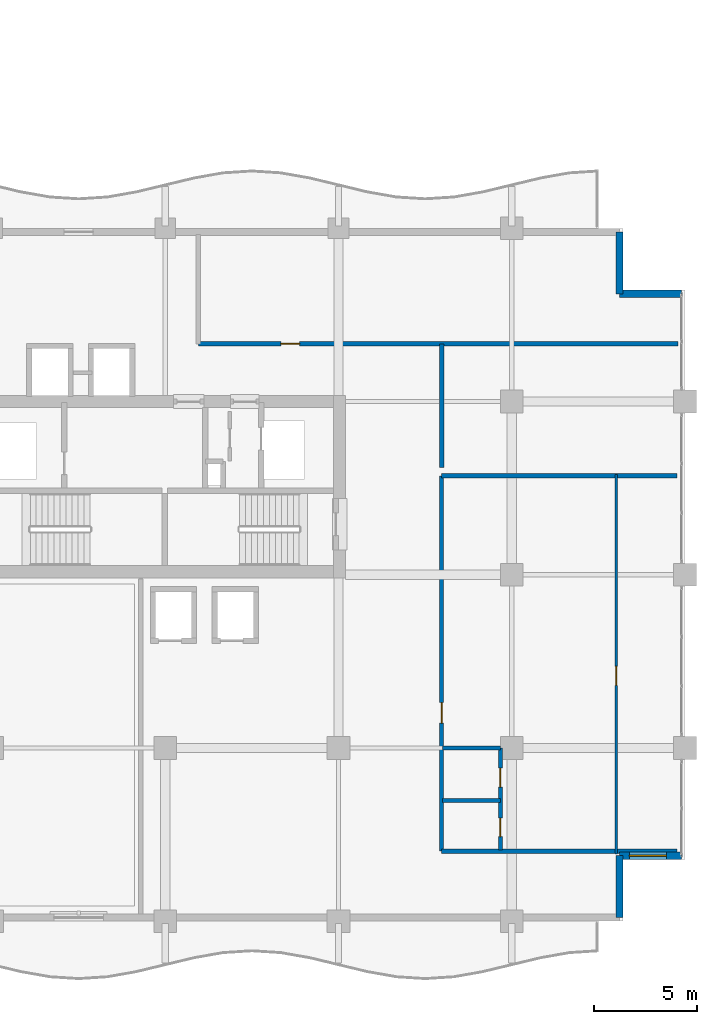
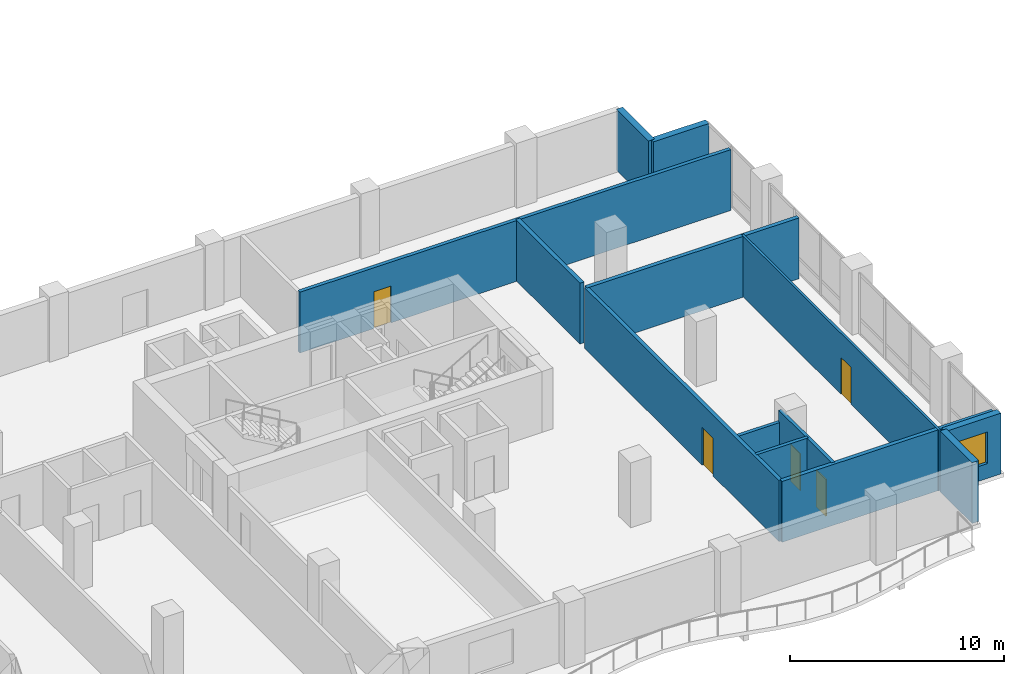
# One storey, part 14 of 21: 13 walls, 5 doors, 1 window, 6 openings.
"""IFC4 building model written with IfcOpenShell, lengths in metres."""

from ifc_helpers import new_model, si_unit, direction, frame, frame_2d, origin, place, context, subcontext, project, spatial, rectangle, extrude, material, layer, layer_set, type_object, element, fill, save


model = new_model("IFC4")

# Units and contexts
model_context = context("Model", 3, precision=1e-05, world=origin(), true_north=direction((0.0, 1.0)))
body_context = subcontext(model_context, "Body", "Model", "MODEL_VIEW")
ifc_project = project(units=[si_unit("LENGTHUNIT", "METRE"), si_unit("AREAUNIT", "SQUARE_METRE"), si_unit("VOLUMEUNIT", "CUBIC_METRE"), si_unit("PLANEANGLEUNIT", "RADIAN"), si_unit("MASSUNIT", "GRAM", prefix="KILO")], contexts=[model_context])

# Site, building, storey
site_placement = place(None, origin())
site = spatial("IfcSite", under=ifc_project, at=site_placement, CompositionType="ELEMENT")
building_placement = place(site_placement, origin())
building = spatial("IfcBuilding", under=site, at=building_placement, Name="Koriwani Terraces Tower", CompositionType="ELEMENT")
storey_placement = place(building_placement, frame((0.0, 0.0, 197.60009765625)))
storey = spatial("IfcBuildingStorey", under=building, at=storey_placement, Name="L48", CompositionType="ELEMENT", Elevation=197.60009765625)

# Wall, opening, door
ifc_material_1 = material(Name="Autoclaved Cellular Concrete Blockwork", Category="masonry")
ifc_layer_1 = layer(ifc_material_1, 0.199951171875, Name="Autoclaved Cellular Concrete Blockwork")
ifc_layer_set_1 = layer_set([ifc_layer_1], Name="Autoclaved Cellular Concrete Blockwork")
wall_type_1 = type_object("IfcWallType", Name="WALL_CORRIDOR_200", PredefinedType="PARTITIONING", material=ifc_layer_set_1)
wall_1_placement = place(storey_placement, frame((63.800048828125, 3.39990234375, 0.0), z_axis=(0.0, 0.0, 1.0), x_axis=(0.0, 1.0, 0.0)))
wall_1 = element("IfcWall", 1, at=wall_1_placement, inside=storey, type_object=wall_type_1, Name="L48 Interior Wall WGB-L48-SETIP-W", PredefinedType="PARTITIONING", context=body_context, shape_type="SweptSolid", body=[
    extrude(rectangle(XDim=18.2001953125, YDim=0.199951171875, at=frame_2d((9.10009765625, 0.0))), origin(), (0.0, 0.0, 1.0), 3.469970703125),
])
opening_1_placement = place(wall_1_placement, frame((6.199951171875, 0.0, 0.0)))
opening_1 = element("IfcOpeningElement", 2, at=opening_1_placement, cuts=wall_1, Name="Opening D-05", PredefinedType="OPENING", context=body_context, shape_type="SweptSolid", body=[
    extrude(rectangle(XDim=1.0, YDim=2.14990234375, at=frame_2d((0.5, 1.074951171875))), frame((0.0, 0.10986328125, 0.0), z_axis=(0.0, -1.0, 0.0), x_axis=(1.0, 0.0, 0.0)), (0.0, 0.0, 1.0), 0.219970703125),
])
ifc_material_2 = material(Name="Architectural Oak Fire Door", Category="wood")
door_type_1 = type_object("IfcDoorType", Name="DOOR_SUITE_ENTRY_1000X2150", OperationType="NOTDEFINED", PredefinedType="DOOR", material=ifc_material_2)
door_1_placement = place(opening_1_placement, origin())
door_1 = element("IfcDoor", 3, at=door_1_placement, inside=storey, type_object=door_type_1, Name="Grand Apartment 48ET Entrance Door", OperationType="SINGLE_SWING_RIGHT", OverallHeight=2.14990234375, OverallWidth=1.0, PredefinedType="DOOR", context=body_context, shape_type="SweptSolid", body=[
    extrude(rectangle(XDim=1.0, YDim=2.14990234375, at=frame_2d((0.5, 1.074951171875))), frame((0.0, 0.02490234375, 0.0), z_axis=(0.0, -1.0, 0.0), x_axis=(1.0, 0.0, 0.0)), (0.0, 0.0, 1.0), 0.050048828125),
])
fill(opening_1, door_1)

wall_2_placement = place(storey_placement, frame((52.0, 28.0, 0.0), z_axis=(0.0, 0.0, 1.0), x_axis=(1.0, 0.0, 0.0)))
wall_2 = element("IfcWall", 4, at=wall_2_placement, inside=storey, type_object=wall_type_1, Name="L48 Interior Wall WSET2-S-L48", PredefinedType="PARTITIONING", context=body_context, shape_type="SweptSolid", body=[
    extrude(rectangle(XDim=23.25, YDim=0.199951171875, at=frame_2d((11.625, 0.0))), origin(), (0.0, 0.0, 1.0), 3.469970703125),
])
opening_2_placement = place(wall_2_placement, frame((4.0, 0.0, 0.0)))
opening_2 = element("IfcOpeningElement", 5, at=opening_2_placement, cuts=wall_2, Name="Opening D-06", PredefinedType="OPENING", context=body_context, shape_type="SweptSolid", body=[
    extrude(rectangle(XDim=0.919921875, YDim=2.10009765625, at=frame_2d((0.4599609375, 1.050048828125))), frame((0.0, 0.10986328125, 0.0), z_axis=(0.0, -1.0, 0.0), x_axis=(1.0, 0.0, 0.0)), (0.0, 0.0, 1.0), 0.219970703125),
])
door_type_2 = type_object("IfcDoorType", Name="DOOR_ROOM_INT_920X2100", OperationType="NOTDEFINED", PredefinedType="DOOR", material=ifc_material_2)
door_2_placement = place(opening_2_placement, origin())
door_2 = element("IfcDoor", 6, at=door_2_placement, inside=storey, type_object=door_type_2, Name="L48 East Court Salon Door", OperationType="SINGLE_SWING_RIGHT", OverallHeight=2.10009765625, OverallWidth=0.919921875, PredefinedType="DOOR", context=body_context, shape_type="SweptSolid", body=[
    extrude(rectangle(XDim=0.919921875, YDim=2.10009765625, at=frame_2d((0.4599609375, 1.050048828125))), frame((0.0, 0.02490234375, 0.0), z_axis=(0.0, -1.0, 0.0), x_axis=(1.0, 0.0, 0.0)), (0.0, 0.0, 1.0), 0.050048828125),
])
fill(opening_2, door_2)

# Walls
ifc_layer_2 = layer(ifc_material_1, 0.219970703125, Name="Autoclaved Cellular Concrete Blockwork")
ifc_layer_set_2 = layer_set([ifc_layer_2], Name="Autoclaved Cellular Concrete Blockwork")
wall_type_2 = type_object("IfcWallType", Name="WALL_DEMISING_220", PredefinedType="PARTITIONING", material=ifc_layer_set_2)
for number, where, z_axis, x_axis, name in (
    (7, (63.800048828125, 3.39990234375, 0.0), (0.0, 0.0, 1.0), (1.0, 0.0, 0.0), "L48 Interior Wall WGB-L48-SETIP-S"),
    (8, (63.800048828125, 21.60009765625, 0.0), (0.0, 0.0, 1.0), (1.0, 0.0, 0.0), "L48 Interior Wall WGB-L48-SETIP-N"),
):
    element("IfcWall", number, at=place(storey_placement, frame(where, z_axis=z_axis, x_axis=x_axis)), inside=storey, type_object=wall_type_2, Name=name, PredefinedType="PARTITIONING", context=body_context, shape_type="SweptSolid", body=[
        extrude(rectangle(XDim=11.419921875, YDim=0.219970703125, at=frame_2d((5.7099609375, 0.0))), origin(), (0.0, 0.0, 1.0), 3.469970703125),
    ])
wall_3_placement = place(storey_placement, frame((63.800048828125, 22.0, 0.0), z_axis=(0.0, 0.0, 1.0), x_axis=(0.0, 1.0, 0.0)))
element("IfcWall", 9, at=wall_3_placement, inside=storey, type_object=wall_type_2, Name="L48 Interior Wall WSET2-SW-L48", PredefinedType="PARTITIONING", context=body_context, shape_type="SweptSolid", body=[
    extrude(rectangle(XDim=6.0, YDim=0.219970703125, at=frame_2d((3.0, 0.0))), origin(), (0.0, 0.0, 1.0), 3.469970703125),
])
ifc_material_3 = material(Name="Concrete C50/60", Category="concrete")
ifc_layer_3 = layer(ifc_material_3, 0.35009765625, Name="Concrete C50/60")
ifc_layer_set_3 = layer_set([ifc_layer_3], Name="Concrete C50/60")
wall_type_3 = type_object("IfcWallType", Name="WALL_EXT_BRUTALIST_350", PredefinedType="STANDARD", material=ifc_layer_set_3)
for number, where, z_axis, x_axis, name in (
    (10, (72.425048828125, 33.425048828125, 0.0), (0.0, 0.0, 1.0), (0.0, -1.0, 0.0), "L48 Fair-Faced Brutalist Exterior Wall (N10)"),
    (11, (72.425048828125, 30.425048828125, 0.0), (0.0, 0.0, 1.0), (1.0, 0.0, 0.0), "L48 Fair-Faced Brutalist Exterior Wall (N11)"),
):
    element("IfcWall", number, at=place(storey_placement, frame(where, z_axis=z_axis, x_axis=x_axis)), inside=storey, type_object=wall_type_3, Name=name, PredefinedType="STANDARD", context=body_context, shape_type="SweptSolid", body=[
        extrude(rectangle(XDim=3.0, YDim=0.35009765625, at=frame_2d((1.5, 0.0))), origin(), (0.0, 0.0, 1.0), 3.469970703125),
    ])

# Wall, opening, window
wall_4_placement = place(storey_placement, frame((75.425048828125, 3.175048828125, 0.0), z_axis=(0.0, 0.0, 1.0), x_axis=(-1.0, 0.0, 0.0)))
wall_4 = element("IfcWall", 12, at=wall_4_placement, inside=storey, type_object=wall_type_3, Name="L48 Fair-Faced Brutalist Exterior Wall (N13)", PredefinedType="STANDARD", context=body_context, shape_type="SweptSolid", body=[
    extrude(rectangle(XDim=3.0, YDim=0.35009765625, at=frame_2d((1.5, 0.0))), origin(), (0.0, 0.0, 1.0), 3.469970703125),
])
opening_3_placement = place(wall_4_placement, frame((0.7275390625, 0.0, 0.85009765625)))
opening_3 = element("IfcOpeningElement", 13, at=opening_3_placement, cuts=wall_4, Name="Opening W-04", PredefinedType="OPENING", context=body_context, shape_type="SweptSolid", body=[
    extrude(rectangle(XDim=1.800048828125, YDim=1.800048828125, at=frame_2d((0.89990234375, 0.89990234375))), frame((0.0, 0.18505859375, 0.0), z_axis=(0.0, -1.0, 0.0), x_axis=(1.0, 0.0, 0.0)), (0.0, 0.0, 1.0), 0.3701171875),
])
ifc_material_4 = material(Name="Tempered Laminated Low-E Glass", Category="glass")
window_type = type_object("IfcWindowType", Name="WIN_RES_BED_1800X1800", PartitioningType="DOUBLE_PANEL_VERTICAL", PredefinedType="WINDOW", material=ifc_material_4)
window_placement = place(opening_3_placement, origin())
window = element("IfcWindow", 14, at=window_placement, inside=storey, type_object=window_type, Name="L48 Exterior Window (N13-R59)", OverallHeight=1.800048828125, OverallWidth=1.800048828125, PartitioningType="SINGLE_PANEL", PredefinedType="WINDOW", context=body_context, shape_type="SweptSolid", body=[
    extrude(rectangle(XDim=1.800048828125, YDim=1.800048828125, at=frame_2d((0.89990234375, 0.89990234375))), frame((0.0, 0.030029296875, 0.0), z_axis=(0.0, -1.0, 0.0), x_axis=(1.0, 0.0, 0.0)), (0.0, 0.0, 1.0), 0.06005859375),
])
fill(opening_3, window)

# Wall
wall_5_placement = place(storey_placement, frame((72.425048828125, 3.175048828125, 0.0), z_axis=(0.0, 0.0, 1.0), x_axis=(0.0, -1.0, 0.0)))
element("IfcWall", 15, at=wall_5_placement, inside=storey, type_object=wall_type_3, Name="L48 Fair-Faced Brutalist Exterior Wall (N14)", PredefinedType="STANDARD", context=body_context, shape_type="SweptSolid", body=[
    extrude(rectangle(XDim=3.0, YDim=0.35009765625, at=frame_2d((1.5, 0.0))), origin(), (0.0, 0.0, 1.0), 3.469970703125),
])

# Wall, opening, door
ifc_material_5 = material(Name="Fire-Rated Acoustic Gypsum Partition", Category="masonry")
ifc_layer_4 = layer(ifc_material_5, 0.125, Name="Fire-Rated Acoustic Gypsum Partition")
ifc_layer_set_4 = layer_set([ifc_layer_4], Name="Fire-Rated Acoustic Gypsum Partition")
wall_type_4 = type_object("IfcWallType", Name="WALL_INT_125", PredefinedType="PARTITIONING", material=ifc_layer_set_4)
wall_6_placement = place(storey_placement, frame((72.27001953125, 3.25, 0.0), z_axis=(0.0, 0.0, 1.0), x_axis=(0.0, 1.0, 0.0)))
wall_6 = element("IfcWall", 16, at=wall_6_placement, inside=storey, type_object=wall_type_4, Name="L48 Interior Wall WGB-L48-SETIP-BD", PredefinedType="PARTITIONING", context=body_context, shape_type="SweptSolid", body=[
    extrude(rectangle(XDim=18.39990234375, YDim=0.125, at=frame_2d((9.199951171875, 0.0))), origin(), (0.0, 0.0, 1.0), 3.469970703125),
])
opening_4_placement = place(wall_6_placement, frame((8.18994140625, 0.0, 0.0)))
opening_4 = element("IfcOpeningElement", 17, at=opening_4_placement, cuts=wall_6, Name="Opening D-06", PredefinedType="OPENING", context=body_context, shape_type="SweptSolid", body=[
    extrude(rectangle(XDim=0.919921875, YDim=2.10009765625, at=frame_2d((0.4599609375, 1.050048828125))), frame((0.0, 0.072509765625, 0.0), z_axis=(0.0, -1.0, 0.0), x_axis=(1.0, 0.0, 0.0)), (0.0, 0.0, 1.0), 0.14501953125),
])
door_3_placement = place(opening_4_placement, origin())
door_3 = element("IfcDoor", 18, at=door_3_placement, inside=storey, type_object=door_type_2, Name="Grand Apartment 48ET Master Suite Door", OperationType="SINGLE_SWING_LEFT", OverallHeight=2.10009765625, OverallWidth=0.919921875, PredefinedType="DOOR", context=body_context, shape_type="SweptSolid", body=[
    extrude(rectangle(XDim=0.919921875, YDim=2.10009765625, at=frame_2d((0.4599609375, 1.050048828125))), frame((0.0, 0.02490234375, 0.0), z_axis=(0.0, -1.0, 0.0), x_axis=(1.0, 0.0, 0.0)), (0.0, 0.0, 1.0), 0.050048828125),
])
fill(opening_4, door_3)

# Wall, openings, doors
ifc_layer_5 = layer(ifc_material_5, 0.179931640625, Name="Fire-Rated Acoustic Gypsum Partition")
ifc_layer_set_5 = layer_set([ifc_layer_5], Name="Fire-Rated Acoustic Gypsum Partition")
wall_type_5 = type_object("IfcWallType", Name="WALL_PLUMBING_180", PredefinedType="PLUMBINGWALL", material=ifc_layer_set_5)
wall_7_placement = place(storey_placement, frame((66.64990234375, 3.449951171875, 0.0), z_axis=(0.0, 0.0, 1.0), x_axis=(0.0, 1.0, 0.0)))
wall_7 = element("IfcWall", 19, at=wall_7_placement, inside=storey, type_object=wall_type_5, Name="L48 Interior Wall WGB-L48-SETIP-SVB", PredefinedType="PLUMBINGWALL", context=body_context, shape_type="SweptSolid", body=[
    extrude(rectangle(XDim=4.949951171875, YDim=0.179931640625, at=frame_2d((2.47509765625, 0.0))), origin(), (0.0, 0.0, 1.0), 3.469970703125),
])
opening_5_placement = place(wall_7_placement, frame((0.64990234375, 0.0, 0.0)))
opening_5 = element("IfcOpeningElement", 20, at=opening_5_placement, cuts=wall_7, Name="Opening D-07", PredefinedType="OPENING", context=body_context, shape_type="SweptSolid", body=[
    extrude(rectangle(XDim=0.89990234375, YDim=2.10009765625, at=frame_2d((0.449951171875, 1.050048828125))), frame((0.0, 0.10009765625, 0.0), z_axis=(0.0, -1.0, 0.0), x_axis=(1.0, 0.0, 0.0)), (0.0, 0.0, 1.0), 0.199951171875),
])
opening_6_placement = place(wall_7_placement, frame((3.050048828125, 0.0, 0.0)))
opening_6 = element("IfcOpeningElement", 21, at=opening_6_placement, cuts=wall_7, Name="Opening D-06", PredefinedType="OPENING", context=body_context, shape_type="SweptSolid", body=[
    extrude(rectangle(XDim=0.919921875, YDim=2.10009765625, at=frame_2d((0.4599609375, 1.050048828125))), frame((0.0, 0.10009765625, 0.0), z_axis=(0.0, -1.0, 0.0), x_axis=(1.0, 0.0, 0.0)), (0.0, 0.0, 1.0), 0.199951171875),
])
door_type_3 = type_object("IfcDoorType", Name="DOOR_BATH_INT_900X2100", OperationType="NOTDEFINED", PredefinedType="DOOR", material=ifc_material_2)
door_4_placement = place(opening_5_placement, origin())
door_4 = element("IfcDoor", 22, at=door_4_placement, inside=storey, type_object=door_type_3, Name="Grand Apartment 48ET Bathroom Door", OperationType="SINGLE_SWING_LEFT", OverallHeight=2.10009765625, OverallWidth=0.89990234375, PredefinedType="DOOR", context=body_context, shape_type="SweptSolid", body=[
    extrude(rectangle(XDim=0.89990234375, YDim=2.10009765625, at=frame_2d((0.449951171875, 1.050048828125))), frame((0.0, 0.02490234375, 0.0), z_axis=(0.0, -1.0, 0.0), x_axis=(1.0, 0.0, 0.0)), (0.0, 0.0, 1.0), 0.050048828125),
])
fill(opening_5, door_4)
door_5_placement = place(opening_6_placement, origin())
door_5 = element("IfcDoor", 23, at=door_5_placement, inside=storey, type_object=door_type_2, Name="Grand Apartment 48ET Kitchen Door", OperationType="SINGLE_SWING_RIGHT", OverallHeight=2.10009765625, OverallWidth=0.919921875, PredefinedType="DOOR", context=body_context, shape_type="SweptSolid", body=[
    extrude(rectangle(XDim=0.919921875, YDim=2.10009765625, at=frame_2d((0.4599609375, 1.050048828125))), frame((0.0, 0.02490234375, 0.0), z_axis=(0.0, -1.0, 0.0), x_axis=(1.0, 0.0, 0.0)), (0.0, 0.0, 1.0), 0.050048828125),
])
fill(opening_6, door_5)

# Walls
wall_8_placement = place(storey_placement, frame((63.85009765625, 5.85009765625, 0.0), z_axis=(0.0, 0.0, 1.0), x_axis=(1.0, 0.0, 0.0)))
element("IfcWall", 24, at=wall_8_placement, inside=storey, type_object=wall_type_5, Name="L48 Interior Wall WGB-L48-SETIP-SVM", PredefinedType="PLUMBINGWALL", context=body_context, shape_type="SweptSolid", body=[
    extrude(rectangle(XDim=2.7998046875, YDim=0.179931640625, at=frame_2d((1.39990234375, 0.0))), origin(), (0.0, 0.0, 1.0), 3.469970703125),
])
wall_9_placement = place(storey_placement, frame((63.85009765625, 8.39990234375, 0.0), z_axis=(0.0, 0.0, 1.0), x_axis=(1.0, 0.0, 0.0)))
element("IfcWall", 25, at=wall_9_placement, inside=storey, type_object=wall_type_5, Name="L48 Interior Wall WGB-L48-SETIP-SV2", PredefinedType="PLUMBINGWALL", context=body_context, shape_type="SweptSolid", body=[
    extrude(rectangle(XDim=2.7998046875, YDim=0.179931640625, at=frame_2d((1.39990234375, 0.0))), origin(), (0.0, 0.0, 1.0), 2.81982421875),
])

save(model, "model.ifc")
